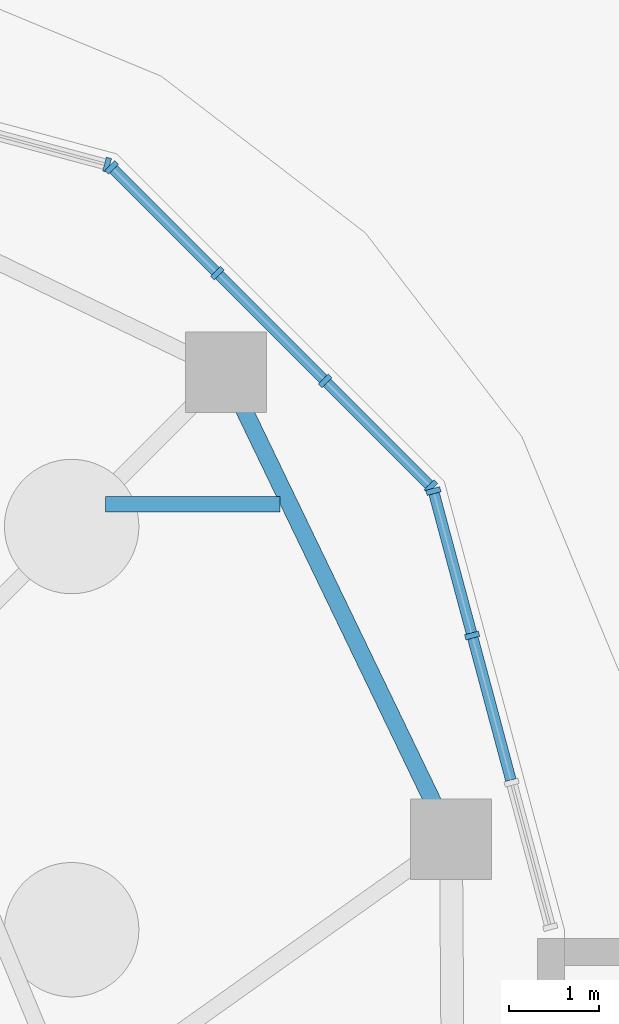
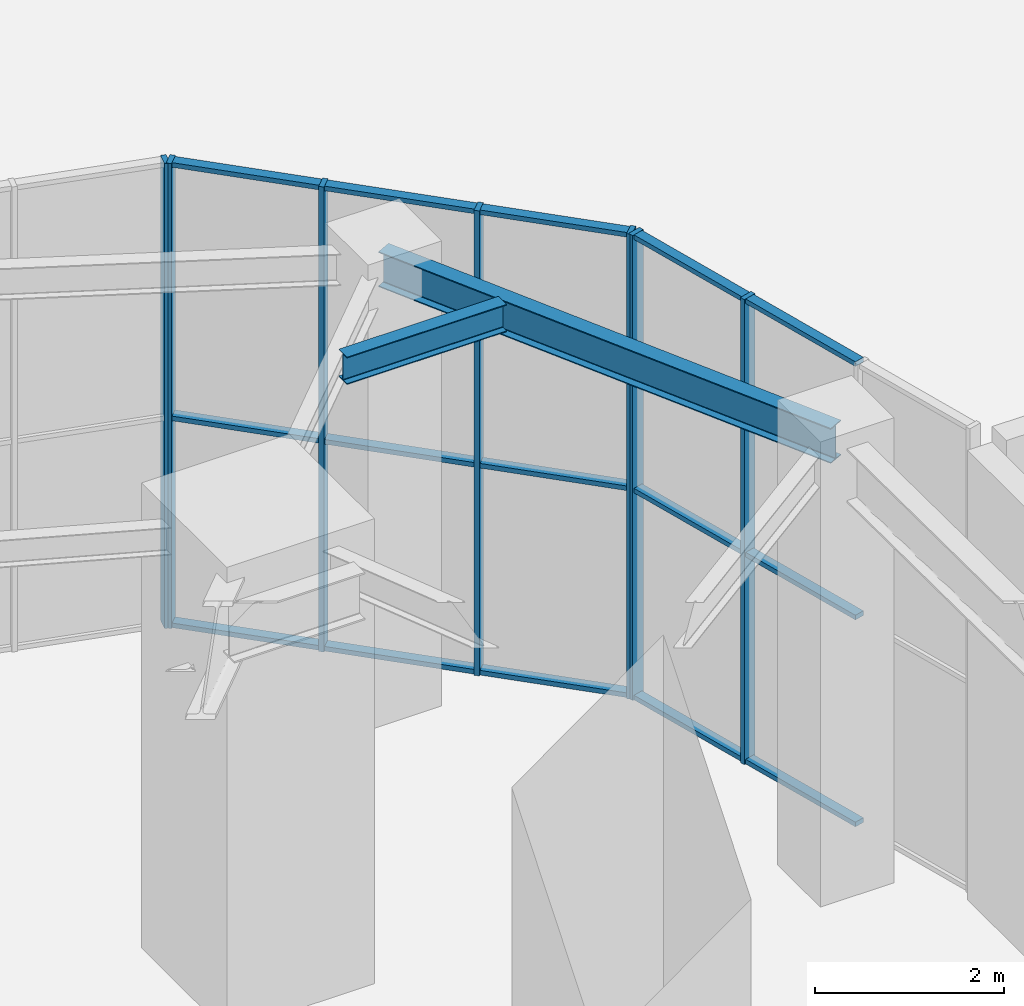
# One storey, part 18 of 43: 22 members, 2 beams, 3 elements without a shape of their own.
"""IFC4 building model written with IfcOpenShell, lengths in metres."""

from ifc_helpers import new_model, si_unit, direction, frame, origin, origin_2d, place, context, subcontext, project, spatial, rectangle, i_section, extrude, material, material_profile, profile_set, type_object, element, aggregate, save


model = new_model("IFC4")

# Units and contexts
model_context = context("Model", 3, precision=1e-05, world=origin(), true_north=direction((0.0, 1.0)))
body_context = subcontext(model_context, "Body", "Model", "MODEL_VIEW")
ifc_project = project(units=[si_unit("LENGTHUNIT", "METRE"), si_unit("AREAUNIT", "SQUARE_METRE"), si_unit("VOLUMEUNIT", "CUBIC_METRE"), si_unit("PLANEANGLEUNIT", "RADIAN"), si_unit("MASSUNIT", "GRAM", prefix="KILO")], contexts=[model_context])

# Site, building, storey
site_placement = place(None, origin())
site = spatial("IfcSite", under=ifc_project, at=site_placement, CompositionType="ELEMENT")
building_placement = place(site_placement, origin())
building = spatial("IfcBuilding", under=site, at=building_placement, Name="Nakasero Lantern House", CompositionType="ELEMENT")
storey_placement = place(building_placement, origin())
storey = spatial("IfcBuildingStorey", under=building, at=storey_placement, Name="L00", CompositionType="ELEMENT", Elevation=0.0)

# Beam
ifc_material_1 = material(Name="Steel S355", Category="steel")
ifc_material_profile_1 = material_profile(ifc_material_1, i_section(OverallWidth=0.17138671875, OverallDepth=0.35498046875, WebThickness=0.00732421875, FlangeThickness=0.011474609375, FilletRadius=0.01025390625, at=origin_2d()), Name="UB 356x171x51")
ifc_profile_set_1 = profile_set([ifc_material_profile_1], Name="Steel S355")
beam_type_1 = type_object("IfcBeamType", Name="Infill beam UB 356x171x51", PredefinedType="JOIST", material=ifc_profile_set_1)
beam_1_placement = place(storey_placement, frame((22.875732421875, 22.75, 5.62255859375), z_axis=(1.0, 0.0, 0.0), x_axis=(0.0, 1.0, 0.0)))
element("IfcBeam", 1, at=beam_1_placement, inside=storey, type_object=beam_type_1, Name="Infill beam L01 15.2", PredefinedType="JOIST", context=body_context, shape_type="SweptSolid", body=[
    extrude(i_section(OverallWidth=0.17138671875, OverallDepth=0.35498046875, WebThickness=0.00732421875, FlangeThickness=0.011474609375, FilletRadius=0.01025390625, at=origin_2d()), origin(), (0.0, 0.0, 1.0), 1.950927734375),
])

# Curtain wall, members
ifc_material_2 = material(Name="Aluminium 6063-T6 and glass", Category="aluminium")
curtain_wall_type = type_object("IfcCurtainWallType", Name="Podium shopfront glazing CW-1", PredefinedType="USERDEFINED", material=ifc_material_2)
curtain_wall_1_placement = place(storey_placement, origin())
curtain_wall_1 = element("IfcCurtainWall", 2, at=curtain_wall_1_placement, inside=storey, type_object=curtain_wall_type, Name="Curtain wall CW-1 L00", ObjectType="STICK CURTAIN WALL", PredefinedType="USERDEFINED")
ifc_material_3 = material(Name="Aluminium 6063-T6", Category="aluminium")
ifc_material_profile_2 = material_profile(ifc_material_3, rectangle(XDim=0.06005859375, YDim=0.159912109375, at=origin_2d()), Name="CW-1 mullion 60x160")
ifc_profile_set_2 = profile_set([ifc_material_profile_2], Name="Aluminium 6063-T6")
member_type_1 = type_object("IfcMemberType", Name="Mullion CW-1", PredefinedType="MULLION", material=ifc_profile_set_2)
member_1_placement = place(storey_placement, frame((26.97021484375, 21.283447265625, 0.0), z_axis=(0.0, 0.0, 1.0), x_axis=(-0.258819045103, 0.965925826289, 0.0)))
member_1 = element("IfcMember", 3, at=member_1_placement, type_object=member_type_1, Name="CW-1 mullion 3", PredefinedType="MULLION", context=body_context, shape_type="SweptSolid", body=[
    extrude(rectangle(XDim=0.06005859375, YDim=0.159912109375, at=origin_2d()), origin(), (0.0, 0.0, 1.0), 6.0),
])
member_2_placement = place(storey_placement, frame((26.5380859375, 22.89599609375, 0.0), z_axis=(0.0, 0.0, 1.0), x_axis=(-0.258819045103, 0.965925826289, 0.0)))
member_2 = element("IfcMember", 4, at=member_2_placement, type_object=member_type_1, Name="CW-1 mullion 4", PredefinedType="MULLION", context=body_context, shape_type="SweptSolid", body=[
    extrude(rectangle(XDim=0.06005859375, YDim=0.159912109375, at=origin_2d()), origin(), (0.0, 0.0, 1.0), 6.0),
])

curtain_wall_2_placement = place(storey_placement, origin())
curtain_wall_2 = element("IfcCurtainWall", 5, at=curtain_wall_2_placement, inside=storey, type_object=curtain_wall_type, Name="Curtain wall CW-1 L00", ObjectType="STICK CURTAIN WALL", PredefinedType="USERDEFINED")
member_3_placement = place(storey_placement, frame((26.509033203125, 22.9462890625, 0.0), z_axis=(0.0, 0.0, 1.0), x_axis=(-0.707106781187, 0.707106781187, 0.0)))
member_3 = element("IfcMember", 6, at=member_3_placement, type_object=member_type_1, Name="CW-1 mullion 1", PredefinedType="MULLION", context=body_context, shape_type="SweptSolid", body=[
    extrude(rectangle(XDim=0.06005859375, YDim=0.159912109375, at=origin_2d()), origin(), (0.0, 0.0, 1.0), 6.0),
])
member_4_placement = place(storey_placement, frame((25.32861328125, 24.126708984375, 0.0), z_axis=(0.0, 0.0, 1.0), x_axis=(-0.707106781187, 0.707106781187, 0.0)))
member_4 = element("IfcMember", 7, at=member_4_placement, type_object=member_type_1, Name="CW-1 mullion 2", PredefinedType="MULLION", context=body_context, shape_type="SweptSolid", body=[
    extrude(rectangle(XDim=0.06005859375, YDim=0.159912109375, at=origin_2d()), origin(), (0.0, 0.0, 1.0), 6.0),
])
member_5_placement = place(storey_placement, frame((24.126708984375, 25.32861328125, 0.0), z_axis=(0.0, 0.0, 1.0), x_axis=(-0.707106781187, 0.707106781187, 0.0)))
member_5 = element("IfcMember", 8, at=member_5_placement, type_object=member_type_1, Name="CW-1 mullion 3", PredefinedType="MULLION", context=body_context, shape_type="SweptSolid", body=[
    extrude(rectangle(XDim=0.06005859375, YDim=0.159912109375, at=origin_2d()), origin(), (0.0, 0.0, 1.0), 6.0),
])
member_6_placement = place(storey_placement, frame((22.9462890625, 26.509033203125, 0.0), z_axis=(0.0, 0.0, 1.0), x_axis=(-0.707106781187, 0.707106781187, 0.0)))
member_6 = element("IfcMember", 9, at=member_6_placement, type_object=member_type_1, Name="CW-1 mullion 4", PredefinedType="MULLION", context=body_context, shape_type="SweptSolid", body=[
    extrude(rectangle(XDim=0.06005859375, YDim=0.159912109375, at=origin_2d()), origin(), (0.0, 0.0, 1.0), 6.0),
])

# Curtain wall, member
curtain_wall_3_placement = place(storey_placement, origin())
curtain_wall_3 = element("IfcCurtainWall", 10, at=curtain_wall_3_placement, inside=storey, type_object=curtain_wall_type, Name="Curtain wall CW-1 L00", ObjectType="STICK CURTAIN WALL", PredefinedType="USERDEFINED")
member_7_placement = place(storey_placement, frame((22.89599609375, 26.5380859375, 0.0), z_axis=(0.0, 0.0, 1.0), x_axis=(-0.965925826289, 0.258819045103, 0.0)))
member_7 = element("IfcMember", 11, at=member_7_placement, type_object=member_type_1, Name="CW-1 mullion 1", PredefinedType="MULLION", context=body_context, shape_type="SweptSolid", body=[
    extrude(rectangle(XDim=0.06005859375, YDim=0.159912109375, at=origin_2d()), origin(), (0.0, 0.0, 1.0), 6.0),
])
aggregate(curtain_wall_3, [member_7])

# Beam
ifc_material_4 = material(Name="Steel S355", Category="steel")
ifc_material_profile_3 = material_profile(ifc_material_4, i_section(OverallWidth=0.18994140625, OverallDepth=0.453369140625, WebThickness=0.008544921875, FlangeThickness=0.0126953125, FilletRadius=0.01025390625, at=origin_2d()), Name="UB 457x191x67")
ifc_profile_set_3 = profile_set([ifc_material_profile_3], Name="Steel S355")
beam_type_2 = type_object("IfcBeamType", Name="Ring beam UB 457x191x67", PredefinedType="BEAM", material=ifc_profile_set_3)
beam_2_placement = place(storey_placement, frame((26.733642578125, 19.0107421875, 5.5732421875), z_axis=(-0.434032577134, 0.900897176145, 0.0), x_axis=(-0.900897176145, -0.434032577134, 0.0)))
element("IfcBeam", 12, at=beam_2_placement, inside=storey, type_object=beam_type_2, Name="Ring beam L01 POD-C05", PredefinedType="BEAM", context=body_context, shape_type="SweptSolid", body=[
    extrude(i_section(OverallWidth=0.18994140625, OverallDepth=0.453369140625, WebThickness=0.008544921875, FlangeThickness=0.0126953125, FilletRadius=0.01025390625, at=origin_2d()), origin(), (0.0, 0.0, 1.0), 5.78515625),
])

# Member
ifc_material_5 = material(Name="Aluminium 6063-T6", Category="aluminium")
ifc_material_profile_4 = material_profile(ifc_material_5, rectangle(XDim=0.06005859375, YDim=0.1201171875, at=origin_2d()), Name="CW-1 transom 60x120")
ifc_profile_set_4 = profile_set([ifc_material_profile_4], Name="Aluminium 6063-T6")
member_type_2 = type_object("IfcMemberType", Name="Transom CW-1", PredefinedType="USERDEFINED", material=ifc_profile_set_4)
member_8_placement = place(storey_placement, frame((27.40234375, 19.670654296875, 0.030029296875), z_axis=(-0.258793147214, 0.965932765235, 0.0), x_axis=(0.0, 0.0, 1.0)))
member_8 = element("IfcMember", 13, at=member_8_placement, type_object=member_type_2, Name="CW-1 transom 2.1", ObjectType="TRANSOM", PredefinedType="USERDEFINED", context=body_context, shape_type="SweptSolid", body=[
    extrude(rectangle(XDim=0.06005859375, YDim=0.1201171875, at=origin_2d()), origin(), (0.0, 0.0, 1.0), 1.6396484375),
])

member_9_placement = place(storey_placement, frame((27.40234375, 19.670654296875, 2.699951171875), z_axis=(-0.258793147214, 0.965932765235, 0.0), x_axis=(0.0, 0.0, 1.0)))
member_9 = element("IfcMember", 14, at=member_9_placement, type_object=member_type_2, Name="CW-1 transom 2.2", ObjectType="TRANSOM", PredefinedType="USERDEFINED", context=body_context, shape_type="SweptSolid", body=[
    extrude(rectangle(XDim=0.06005859375, YDim=0.1201171875, at=origin_2d()), origin(), (0.0, 0.0, 1.0), 1.6396484375),
])

member_10_placement = place(storey_placement, frame((27.40234375, 19.670654296875, 5.969970703125), z_axis=(-0.258793147214, 0.965932765235, 0.0), x_axis=(0.0, 0.0, 1.0)))
member_10 = element("IfcMember", 15, at=member_10_placement, type_object=member_type_2, Name="CW-1 transom 2.3", ObjectType="TRANSOM", PredefinedType="USERDEFINED", context=body_context, shape_type="SweptSolid", body=[
    extrude(rectangle(XDim=0.06005859375, YDim=0.1201171875, at=origin_2d()), origin(), (0.0, 0.0, 1.0), 1.6396484375),
])

member_11_placement = place(storey_placement, frame((26.96240234375, 21.312255859375, 0.030029296875), z_axis=(-0.258776522595, 0.965937219158, 0.0), x_axis=(0.0, 0.0, 1.0)))
member_11 = element("IfcMember", 16, at=member_11_placement, type_object=member_type_2, Name="CW-1 transom 3.1", ObjectType="TRANSOM", PredefinedType="USERDEFINED", context=body_context, shape_type="SweptSolid", body=[
    extrude(rectangle(XDim=0.06005859375, YDim=0.1201171875, at=origin_2d()), origin(), (0.0, 0.0, 1.0), 1.609619140625),
])

member_12_placement = place(storey_placement, frame((26.96240234375, 21.312255859375, 2.699951171875), z_axis=(-0.258776522595, 0.965937219158, 0.0), x_axis=(0.0, 0.0, 1.0)))
member_12 = element("IfcMember", 17, at=member_12_placement, type_object=member_type_2, Name="CW-1 transom 3.2", ObjectType="TRANSOM", PredefinedType="USERDEFINED", context=body_context, shape_type="SweptSolid", body=[
    extrude(rectangle(XDim=0.06005859375, YDim=0.1201171875, at=origin_2d()), origin(), (0.0, 0.0, 1.0), 1.609619140625),
])

member_13_placement = place(storey_placement, frame((26.96240234375, 21.312255859375, 5.969970703125), z_axis=(-0.258776522595, 0.965937219158, 0.0), x_axis=(0.0, 0.0, 1.0)))
member_13 = element("IfcMember", 18, at=member_13_placement, type_object=member_type_2, Name="CW-1 transom 3.3", ObjectType="TRANSOM", PredefinedType="USERDEFINED", context=body_context, shape_type="SweptSolid", body=[
    extrude(rectangle(XDim=0.06005859375, YDim=0.1201171875, at=origin_2d()), origin(), (0.0, 0.0, 1.0), 1.609619140625),
])

aggregate(curtain_wall_1, [member_1, member_2, member_8, member_9, member_10, member_11, member_12, member_13])

member_14_placement = place(storey_placement, frame((26.488037109375, 22.967529296875, 0.030029296875), z_axis=(-0.707182622531, 0.707030931707, 0.0), x_axis=(0.0, 0.0, 1.0)))
member_14 = element("IfcMember", 19, at=member_14_placement, type_object=member_type_2, Name="CW-1 transom 1.1", ObjectType="TRANSOM", PredefinedType="USERDEFINED", context=body_context, shape_type="SweptSolid", body=[
    extrude(rectangle(XDim=0.06005859375, YDim=0.1201171875, at=origin_2d()), origin(), (0.0, 0.0, 1.0), 1.609375),
])

member_15_placement = place(storey_placement, frame((26.488037109375, 22.967529296875, 2.699951171875), z_axis=(-0.707182622531, 0.707030931707, 0.0), x_axis=(0.0, 0.0, 1.0)))
member_15 = element("IfcMember", 20, at=member_15_placement, type_object=member_type_2, Name="CW-1 transom 1.2", ObjectType="TRANSOM", PredefinedType="USERDEFINED", context=body_context, shape_type="SweptSolid", body=[
    extrude(rectangle(XDim=0.06005859375, YDim=0.1201171875, at=origin_2d()), origin(), (0.0, 0.0, 1.0), 1.609375),
])

member_16_placement = place(storey_placement, frame((26.488037109375, 22.967529296875, 5.969970703125), z_axis=(-0.707182622531, 0.707030931707, 0.0), x_axis=(0.0, 0.0, 1.0)))
member_16 = element("IfcMember", 21, at=member_16_placement, type_object=member_type_2, Name="CW-1 transom 1.3", ObjectType="TRANSOM", PredefinedType="USERDEFINED", context=body_context, shape_type="SweptSolid", body=[
    extrude(rectangle(XDim=0.06005859375, YDim=0.1201171875, at=origin_2d()), origin(), (0.0, 0.0, 1.0), 1.609375),
])

member_17_placement = place(storey_placement, frame((25.307373046875, 24.14794921875, 0.030029296875), z_axis=(-0.707106781187, 0.707106781187, 0.0), x_axis=(0.0, 0.0, 1.0)))
member_17 = element("IfcMember", 22, at=member_17_placement, type_object=member_type_2, Name="CW-1 transom 2.1", ObjectType="TRANSOM", PredefinedType="USERDEFINED", context=body_context, shape_type="SweptSolid", body=[
    extrude(rectangle(XDim=0.06005859375, YDim=0.1201171875, at=origin_2d()), origin(), (0.0, 0.0, 1.0), 1.6396484375),
])

member_18_placement = place(storey_placement, frame((25.307373046875, 24.14794921875, 2.699951171875), z_axis=(-0.707106781187, 0.707106781187, 0.0), x_axis=(0.0, 0.0, 1.0)))
member_18 = element("IfcMember", 23, at=member_18_placement, type_object=member_type_2, Name="CW-1 transom 2.2", ObjectType="TRANSOM", PredefinedType="USERDEFINED", context=body_context, shape_type="SweptSolid", body=[
    extrude(rectangle(XDim=0.06005859375, YDim=0.1201171875, at=origin_2d()), origin(), (0.0, 0.0, 1.0), 1.6396484375),
])

member_19_placement = place(storey_placement, frame((25.307373046875, 24.14794921875, 5.969970703125), z_axis=(-0.707106781187, 0.707106781187, 0.0), x_axis=(0.0, 0.0, 1.0)))
member_19 = element("IfcMember", 24, at=member_19_placement, type_object=member_type_2, Name="CW-1 transom 2.3", ObjectType="TRANSOM", PredefinedType="USERDEFINED", context=body_context, shape_type="SweptSolid", body=[
    extrude(rectangle(XDim=0.06005859375, YDim=0.1201171875, at=origin_2d()), origin(), (0.0, 0.0, 1.0), 1.6396484375),
])

member_20_placement = place(storey_placement, frame((24.10546875, 25.349853515625, 0.030029296875), z_axis=(-0.707030931707, 0.707182622531, 0.0), x_axis=(0.0, 0.0, 1.0)))
member_20 = element("IfcMember", 25, at=member_20_placement, type_object=member_type_2, Name="CW-1 transom 3.1", ObjectType="TRANSOM", PredefinedType="USERDEFINED", context=body_context, shape_type="SweptSolid", body=[
    extrude(rectangle(XDim=0.06005859375, YDim=0.1201171875, at=origin_2d()), origin(), (0.0, 0.0, 1.0), 1.609375),
])

member_21_placement = place(storey_placement, frame((24.10546875, 25.349853515625, 2.699951171875), z_axis=(-0.707030931707, 0.707182622531, 0.0), x_axis=(0.0, 0.0, 1.0)))
member_21 = element("IfcMember", 26, at=member_21_placement, type_object=member_type_2, Name="CW-1 transom 3.2", ObjectType="TRANSOM", PredefinedType="USERDEFINED", context=body_context, shape_type="SweptSolid", body=[
    extrude(rectangle(XDim=0.06005859375, YDim=0.1201171875, at=origin_2d()), origin(), (0.0, 0.0, 1.0), 1.609375),
])

member_22_placement = place(storey_placement, frame((24.10546875, 25.349853515625, 5.969970703125), z_axis=(-0.707030931707, 0.707182622531, 0.0), x_axis=(0.0, 0.0, 1.0)))
member_22 = element("IfcMember", 27, at=member_22_placement, type_object=member_type_2, Name="CW-1 transom 3.3", ObjectType="TRANSOM", PredefinedType="USERDEFINED", context=body_context, shape_type="SweptSolid", body=[
    extrude(rectangle(XDim=0.06005859375, YDim=0.1201171875, at=origin_2d()), origin(), (0.0, 0.0, 1.0), 1.609375),
])

aggregate(curtain_wall_2, [member_3, member_4, member_5, member_6, member_14, member_15, member_16, member_17, member_18, member_19, member_20, member_21, member_22])

save(model, "model.ifc")
